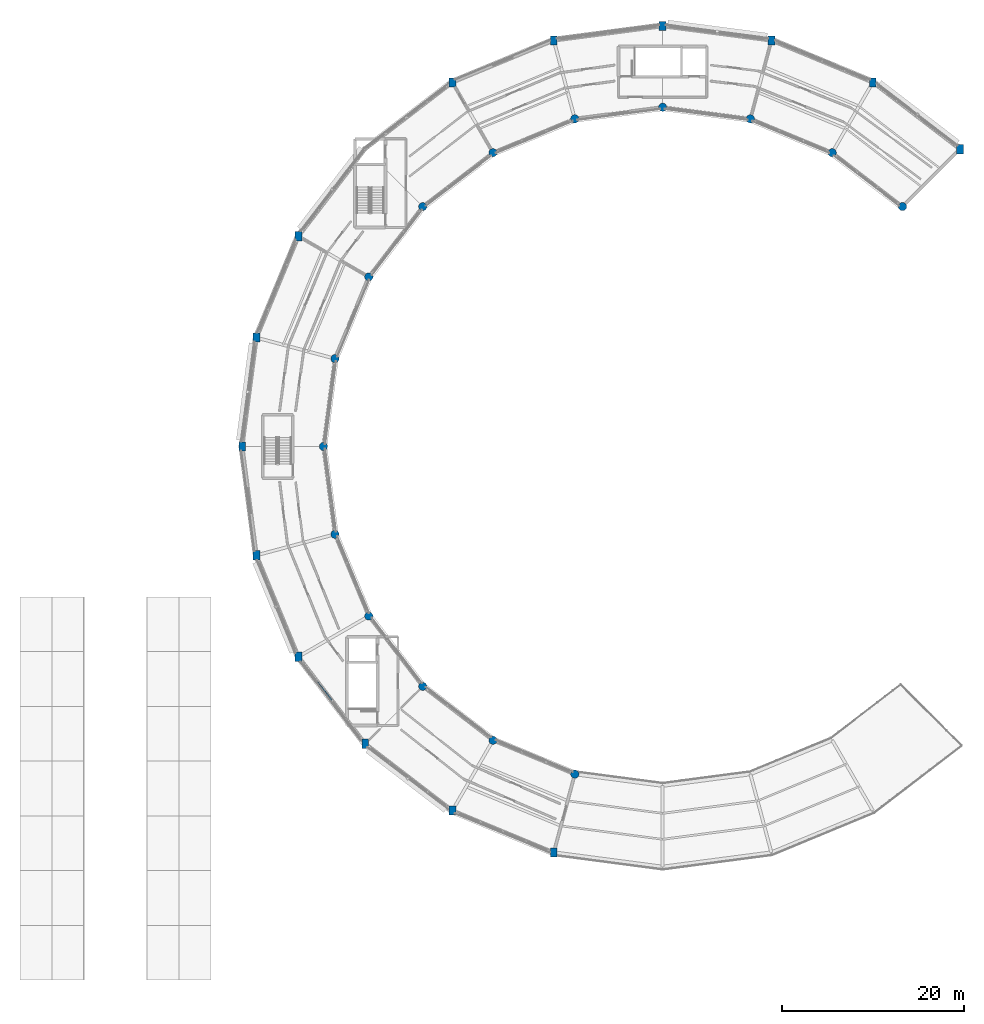
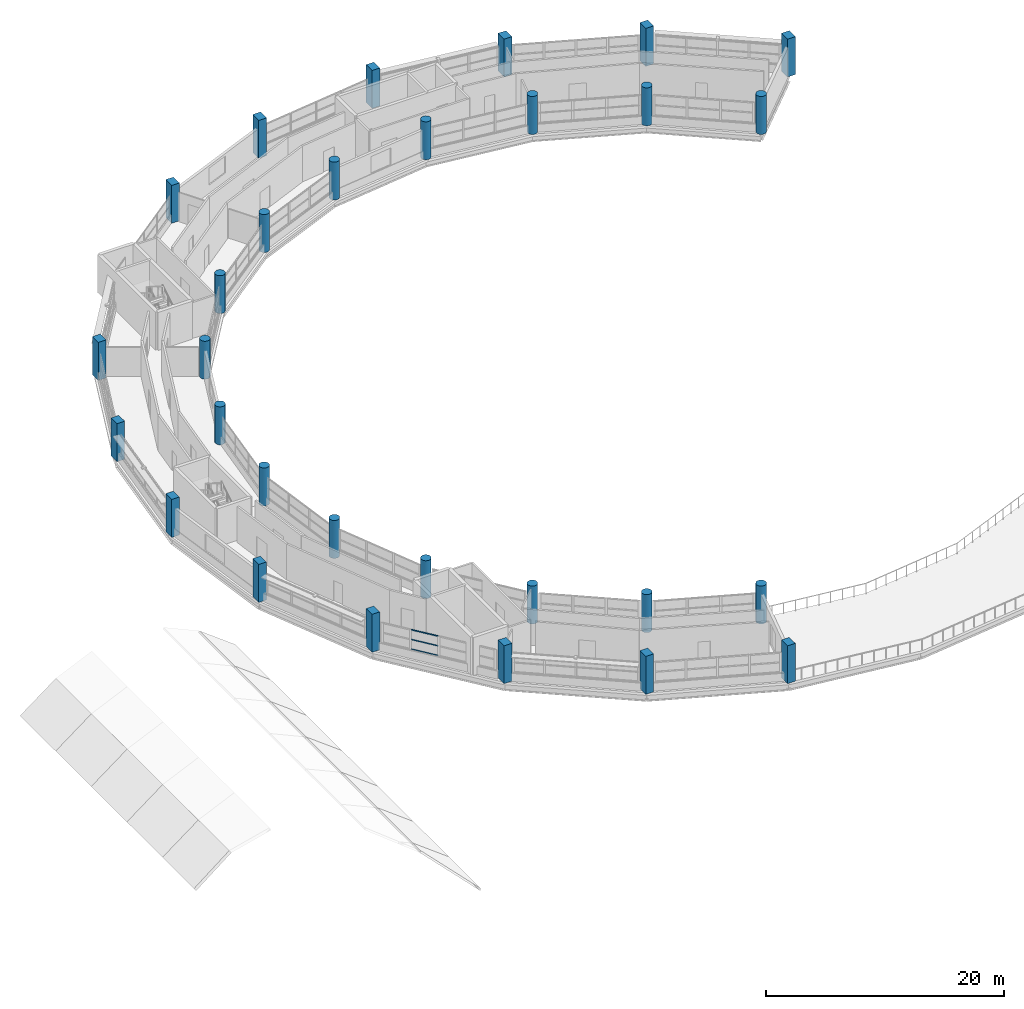
# One storey, part 1 of 53: 29 columns, 3 members, 1 element without a shape of its own.
"""IFC4 building model written with IfcOpenShell, lengths in metres."""

from ifc_helpers import new_model, si_unit, direction, frame, origin, origin_2d, place, context, subcontext, project, spatial, rectangle, hollow_rectangle, circle, extrude, material, layer, layer_set, material_profile, profile_set, type_object, element, aggregate, save


model = new_model("IFC4")

# Units and contexts
model_context = context("Model", 3, precision=1e-05, world=origin(), true_north=direction((0.0, 1.0)))
body_context = subcontext(model_context, "Body", "Model", "MODEL_VIEW")
ifc_project = project(units=[si_unit("LENGTHUNIT", "METRE"), si_unit("AREAUNIT", "SQUARE_METRE"), si_unit("VOLUMEUNIT", "CUBIC_METRE"), si_unit("PLANEANGLEUNIT", "RADIAN"), si_unit("MASSUNIT", "GRAM", prefix="KILO")], contexts=[model_context])

# Site, building, storey
site_placement = place(None, origin())
site = spatial("IfcSite", under=ifc_project, at=site_placement, CompositionType="ELEMENT")
building_placement = place(site_placement, origin())
building = spatial("IfcBuilding", under=site, at=building_placement, Name="Vespera Passage Community Centre", CompositionType="ELEMENT")
storey_placement = place(building_placement, frame((0.0, 0.0, 20.39990234375)))
storey = spatial("IfcBuildingStorey", under=building, at=storey_placement, Name="L05", CompositionType="ELEMENT", Elevation=20.39990234375)

# Columns
ifc_material_1 = material(Name="Concrete f'c 45 MPa", Category="concrete")
ifc_material_profile_1 = material_profile(ifc_material_1, rectangle(XDim=0.75, YDim=1.0, at=origin_2d()), Name="RC1000X750")
ifc_profile_set_1 = profile_set([ifc_material_profile_1], Name="Concrete f'c 45 MPa")
column_type_1 = type_object("IfcColumnType", Name="COL-RC1000X750E", PredefinedType="COLUMN", material=ifc_profile_set_1)
for number, where, z_axis, x_axis, name in (
    (1, (101.050048828125, 105.423828125, 0.0), (0.0, 0.0, 1.0), (1.0, 0.0, 0.0), "L05 Column V4-O04"),
    (2, (89.931640625, 110.029296875, 0.0), (0.0, 0.0, 1.0), (1.0, 0.0, 0.0), "L05 Column V4-O05"),
    (3, (78.0, 111.60009765625, 0.0), (0.0, 0.0, 1.0), (1.0, 0.0, 0.0), "L05 Column V4-O06"),
    (4, (66.068359375, 110.029296875, 0.0), (0.0, 0.0, 1.0), (1.0, 0.0, 0.0), "L05 Column V4-O07"),
    (5, (54.949951171875, 105.423828125, 0.0), (0.0, 0.0, 1.0), (1.0, 0.0, 0.0), "L05 Column V4-O08"),
    (6, (38.076171875, 88.550048828125, 0.0), (0.0, 0.0, 1.0), (1.0, 0.0, 0.0), "L05 Column V4-O10"),
    (7, (33.470703125, 77.431640625, 0.0), (0.0, 0.0, 1.0), (1.0, 0.0, 0.0), "L05 Column V4-O11"),
    (8, (31.89990234375, 65.5, 0.0), (0.0, 0.0, 1.0), (1.0, 0.0, 0.0), "L05 Column V4-O12"),
    (9, (33.470703125, 53.568359375, 0.0), (0.0, 0.0, 1.0), (1.0, 0.0, 0.0), "L05 Column V4-O13"),
    (10, (38.076171875, 42.449951171875, 0.0), (0.0, 0.0, 1.0), (1.0, 0.0, 0.0), "L05 Column V4-O14"),
    (11, (45.40234375, 32.90234375, 0.0), (0.0, 0.0, 1.0), (1.0, 0.0, 0.0), "L05 Column V4-O15"),
    (12, (66.068359375, 20.970703125, 0.0), (0.0, 0.0, 1.0), (1.0, 0.0, 0.0), "L05 Column V4-O17"),
    (13, (110.59765625, 98.09765625, 0.0), (0.0, 0.0, 1.0), (1.0, 0.0, 0.0), "L05 Column V4-O03"),
    (14, (54.949951171875, 25.576171875, 0.0), (0.0, 0.0, 1.0), (1.0, 0.0, 0.0), "L05 Column V4-O16"),
):
    element("IfcColumn", number, at=place(storey_placement, frame(where, z_axis=z_axis, x_axis=x_axis)), inside=storey, type_object=column_type_1, Name=name, PredefinedType="COLUMN", context=body_context, shape_type="SweptSolid", body=[
        extrude(rectangle(XDim=0.75, YDim=1.0, at=origin_2d()), origin(), (0.0, 0.0, 1.0), 3.900146484375),
    ])
ifc_material_2 = material(Name="Concrete f'c 45 MPa", Category="concrete")
ifc_material_profile_2 = material_profile(ifc_material_2, circle(Radius=0.449951171875, at=origin_2d()), Name="RC900DIA")
ifc_profile_set_2 = profile_set([ifc_material_profile_2], Name="Concrete f'c 45 MPa")
column_type_2 = type_object("IfcColumnType", Name="COL-RC900DIAE", PredefinedType="COLUMN", material=ifc_profile_set_2)
for number, where, z_axis, x_axis, name in (
    (15, (96.60009765625, 97.716064453125, 0.0), (0.0, 0.0, 1.0), (1.0, 0.0, 0.0), "L05 Column V4-I04"),
    (16, (87.628173828125, 101.432373046875, 0.0), (0.0, 0.0, 1.0), (1.0, 0.0, 0.0), "L05 Column V4-I05"),
    (17, (78.0, 102.699951171875, 0.0), (0.0, 0.0, 1.0), (1.0, 0.0, 0.0), "L05 Column V4-I06"),
    (18, (68.371826171875, 101.432373046875, 0.0), (0.0, 0.0, 1.0), (1.0, 0.0, 0.0), "L05 Column V4-I07"),
    (19, (59.39990234375, 97.716064453125, 0.0), (0.0, 0.0, 1.0), (1.0, 0.0, 0.0), "L05 Column V4-I08"),
    (20, (51.695556640625, 91.804443359375, 0.0), (0.0, 0.0, 1.0), (1.0, 0.0, 0.0), "L05 Column V4-I09"),
    (21, (45.783935546875, 84.10009765625, 0.0), (0.0, 0.0, 1.0), (1.0, 0.0, 0.0), "L05 Column V4-I10"),
    (22, (42.067626953125, 75.128173828125, 0.0), (0.0, 0.0, 1.0), (1.0, 0.0, 0.0), "L05 Column V4-I11"),
    (23, (40.800048828125, 65.5, 0.0), (0.0, 0.0, 1.0), (1.0, 0.0, 0.0), "L05 Column V4-I12"),
    (24, (42.067626953125, 55.871826171875, 0.0), (0.0, 0.0, 1.0), (1.0, 0.0, 0.0), "L05 Column V4-I13"),
    (25, (45.783935546875, 46.89990234375, 0.0), (0.0, 0.0, 1.0), (1.0, 0.0, 0.0), "L05 Column V4-I14"),
    (26, (51.695556640625, 39.195556640625, 0.0), (0.0, 0.0, 1.0), (1.0, 0.0, 0.0), "L05 Column V4-I15"),
    (27, (68.371826171875, 29.567626953125, 0.0), (0.0, 0.0, 1.0), (1.0, 0.0, 0.0), "L05 Column V4-I17"),
    (28, (104.304443359375, 91.804443359375, 0.0), (0.0, 0.0, 1.0), (1.0, 0.0, 0.0), "L05 Column V4-I03"),
    (29, (59.39990234375, 33.283935546875, 0.0), (0.0, 0.0, 1.0), (1.0, 0.0, 0.0), "L05 Column V4-I16"),
):
    element("IfcColumn", number, at=place(storey_placement, frame(where, z_axis=z_axis, x_axis=x_axis)), inside=storey, type_object=column_type_2, Name=name, PredefinedType="COLUMN", context=body_context, shape_type="SweptSolid", body=[
        extrude(circle(Radius=0.449951171875, at=origin_2d()), origin(), (0.0, 0.0, 1.0), 3.900146484375),
    ])

# Curtain wall, members
ifc_material_3 = material(Name="Anodized aluminium 6063-T6", Category="aluminium")
ifc_layer = layer(ifc_material_3, 0.159912109375)
ifc_layer_set = layer_set([ifc_layer], Name="Anodized aluminium 6063-T6")
curtain_wall_type = type_object("IfcCurtainWallType", Name="CW-77E", PredefinedType="NOTDEFINED", material=ifc_layer_set)
curtain_wall_placement = place(storey_placement, origin())
curtain_wall = element("IfcCurtainWall", 30, at=curtain_wall_placement, inside=storey, type_object=curtain_wall_type, Name="V4 L05 Outer Ribbon Curtain Wall 14", PredefinedType="NOTDEFINED")
ifc_material_4 = material(Name="Anodized aluminium 6063-T6", Category="aluminium")
ifc_material_profile_3 = material_profile(ifc_material_4, hollow_rectangle(XDim=0.06005859375, YDim=0.1201171875, WallThickness=0.00390625, InnerFilletRadius=0.001953125, OuterFilletRadius=0.00390625, at=origin_2d()), Name="ALU120X60X4")
ifc_profile_set_3 = profile_set([ifc_material_profile_3], Name="Anodized aluminium 6063-T6")
member_type = type_object("IfcMemberType", Name="MB-CWT-120E", PredefinedType="USERDEFINED", material=ifc_profile_set_3)
member_1_placement = place(storey_placement, frame((41.716552734375, 37.7060546875, 0.85009765625), z_axis=(-0.608806013392, 0.7933191275, 0.0), x_axis=(-0.7933191275, -0.608806013392, 0.0)))
member_1 = element("IfcMember", 31, at=member_1_placement, type_object=member_type, Name="CW-77E transom 3.1", ObjectType="TRANSOM", PredefinedType="USERDEFINED", context=body_context, shape_type="SweptSolid", body=[
    extrude(hollow_rectangle(XDim=0.06005859375, YDim=0.1201171875, WallThickness=0.00390625, InnerFilletRadius=0.001953125, OuterFilletRadius=0.00390625, at=origin_2d()), origin(), (0.0, 0.0, 1.0), 2.51806640625),
])
member_2_placement = place(storey_placement, frame((41.716552734375, 37.7060546875, 1.843017578125), z_axis=(-0.608806013392, 0.7933191275, 0.0), x_axis=(-0.7933191275, -0.608806013392, 0.0)))
member_2 = element("IfcMember", 32, at=member_2_placement, type_object=member_type, Name="CW-77E transom 3.2", ObjectType="TRANSOM", PredefinedType="USERDEFINED", context=body_context, shape_type="SweptSolid", body=[
    extrude(hollow_rectangle(XDim=0.06005859375, YDim=0.1201171875, WallThickness=0.00390625, InnerFilletRadius=0.001953125, OuterFilletRadius=0.00390625, at=origin_2d()), origin(), (0.0, 0.0, 1.0), 2.51806640625),
])
member_3_placement = place(storey_placement, frame((41.716552734375, 37.7060546875, 2.8359375), z_axis=(-0.608806013392, 0.7933191275, 0.0), x_axis=(-0.7933191275, -0.608806013392, 0.0)))
member_3 = element("IfcMember", 33, at=member_3_placement, type_object=member_type, Name="CW-77E transom 3.3", ObjectType="TRANSOM", PredefinedType="USERDEFINED", context=body_context, shape_type="SweptSolid", body=[
    extrude(hollow_rectangle(XDim=0.06005859375, YDim=0.1201171875, WallThickness=0.00390625, InnerFilletRadius=0.001953125, OuterFilletRadius=0.00390625, at=origin_2d()), origin(), (0.0, 0.0, 1.0), 2.51806640625),
])
aggregate(curtain_wall, [member_1, member_2, member_3])

save(model, "model.ifc")
